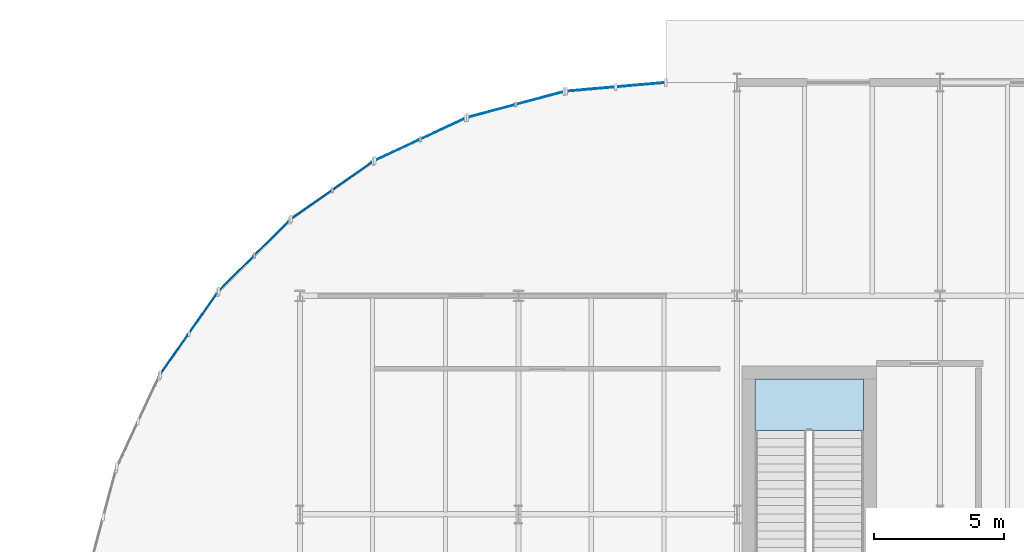
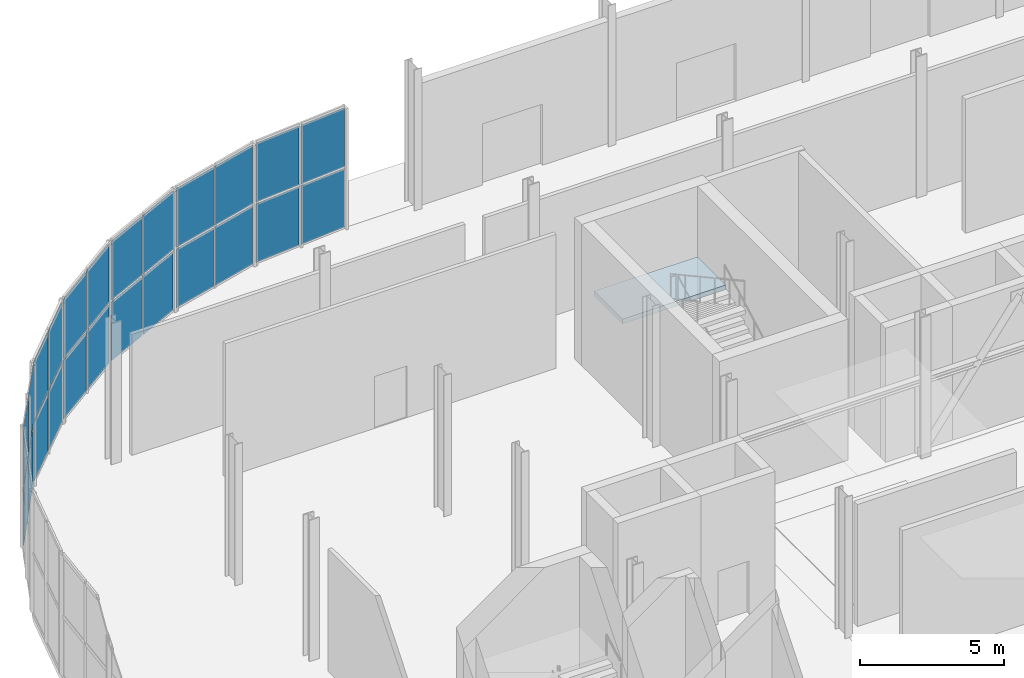
# One storey, part 49 of 84: 24 plates, 1 slab, 7 elements without a shape of their own.
"""IFC4 building model written with IfcOpenShell, lengths in metres."""

from ifc_helpers import new_model, si_unit, direction, frame, origin, origin_2d, place, context, subcontext, project, spatial, polyline, rectangle, outline, extrude, material, layer, layer_set, type_object, element, aggregate, save


model = new_model("IFC4")

# Units and contexts
model_context = context("Model", 3, precision=1e-05, world=origin(), true_north=direction((0.0, 1.0)))
body_context = subcontext(model_context, "Body", "Model", "MODEL_VIEW")
ifc_project = project(units=[si_unit("LENGTHUNIT", "METRE"), si_unit("AREAUNIT", "SQUARE_METRE"), si_unit("VOLUMEUNIT", "CUBIC_METRE"), si_unit("PLANEANGLEUNIT", "RADIAN"), si_unit("MASSUNIT", "GRAM", prefix="KILO")], contexts=[model_context])

# Site, building, storey
site_placement = place(None, origin())
site = spatial("IfcSite", under=ifc_project, at=site_placement, CompositionType="ELEMENT")
building_placement = place(site_placement, origin())
building = spatial("IfcBuilding", under=site, at=building_placement, Name="Sefraquen Railside Congress Hotel", CompositionType="ELEMENT")
storey_placement = place(building_placement, origin())
storey = spatial("IfcBuildingStorey", under=building, at=storey_placement, Name="L00", CompositionType="ELEMENT", Elevation=0.0)

# Curtain wall, plates
ifc_material_1 = material(Name="Thermally broken anodised aluminium and low-E double glazing", Category="aluminium")
ifc_layer_1 = layer(ifc_material_1, 0.199951171875)
ifc_layer_set_1 = layer_set([ifc_layer_1], Name="Thermally broken anodised aluminium and low-E double glazing")
curtain_wall_type_1 = type_object("IfcCurtainWallType", Name="TCW-UCW-28", PredefinedType="USERDEFINED", material=ifc_layer_set_1)
curtain_wall_1_placement = place(storey_placement, origin())
curtain_wall_1 = element("IfcCurtainWall", 1, at=curtain_wall_1_placement, inside=storey, type_object=curtain_wall_type_1, Name="Rotunda L00 curved curtain wall facet 1", ObjectType="UNITISED CURTAIN WALL", PredefinedType="USERDEFINED")
ifc_material_2 = material(Name="Solar-control low-E double glazing", Category="glass")
ifc_layer_2 = layer(ifc_material_2, 0.02392578125)
ifc_layer_set_2 = layer_set([ifc_layer_2], Name="Solar-control low-E double glazing")
plate_type_1 = type_object("IfcPlateType", Name="TP-CWP-01", PredefinedType="CURTAIN_PANEL", material=ifc_layer_set_2)
plate_1_placement = place(storey_placement, frame((21.50341796875, 117.912841796875, 0.0400390625), z_axis=(0.0, 0.0, 1.0), x_axis=(-0.996196219095, -0.087138355857, 0.0)))
plate_1 = element("IfcPlate", 2, at=plate_1_placement, type_object=plate_type_1, Name="CW-L00-ROT-01 panel 1.1", PredefinedType="CURTAIN_PANEL", context=body_context, shape_type="SweptSolid", body=[
    extrude(rectangle(XDim=1.8310546875, YDim=0.02392578125, at=origin_2d()), origin(), (0.0, 0.0, 1.0), 2.4951171875),
])
plate_2_placement = place(storey_placement, frame((19.589599609375, 117.745361328125, 0.0400390625), z_axis=(0.0, 0.0, 1.0), x_axis=(-0.996196219095, -0.087138355857, 0.0)))
plate_2 = element("IfcPlate", 3, at=plate_2_placement, type_object=plate_type_1, Name="CW-L00-ROT-01 panel 1.2", PredefinedType="CURTAIN_PANEL", context=body_context, shape_type="SweptSolid", body=[
    extrude(rectangle(XDim=1.8310546875, YDim=0.02392578125, at=origin_2d()), origin(), (0.0, 0.0, 1.0), 2.4951171875),
])

ifc_layer_3 = layer(ifc_material_1, 0.199951171875)
ifc_layer_set_3 = layer_set([ifc_layer_3], Name="Thermally broken anodised aluminium and low-E double glazing")
curtain_wall_type_2 = type_object("IfcCurtainWallType", Name="TCW-UCW-29", PredefinedType="USERDEFINED", material=ifc_layer_set_3)
curtain_wall_2_placement = place(storey_placement, origin())
curtain_wall_2 = element("IfcCurtainWall", 4, at=curtain_wall_2_placement, inside=storey, type_object=curtain_wall_type_2, Name="Rotunda L00 curved curtain wall facet 2", ObjectType="UNITISED CURTAIN WALL", PredefinedType="USERDEFINED")
plate_3_placement = place(storey_placement, frame((17.62646484375, 117.399169921875, 0.0400390625), z_axis=(0.0, 0.0, 1.0), x_axis=(-0.96593486019, -0.258785327773, 0.0)))
plate_3 = element("IfcPlate", 5, at=plate_3_placement, type_object=plate_type_1, Name="CW-L00-ROT-02 panel 1.1", PredefinedType="CURTAIN_PANEL", context=body_context, shape_type="SweptSolid", body=[
    extrude(rectangle(XDim=1.8310546875, YDim=0.02392578125, at=origin_2d()), origin(), (0.0, 0.0, 1.0), 2.4951171875),
])
plate_4_placement = place(storey_placement, frame((15.77099609375, 116.902099609375, 0.0400390625), z_axis=(0.0, 0.0, 1.0), x_axis=(-0.96593486019, -0.258785327773, 0.0)))
plate_4 = element("IfcPlate", 6, at=plate_4_placement, type_object=plate_type_1, Name="CW-L00-ROT-02 panel 1.2", PredefinedType="CURTAIN_PANEL", context=body_context, shape_type="SweptSolid", body=[
    extrude(rectangle(XDim=1.8310546875, YDim=0.02392578125, at=origin_2d()), origin(), (0.0, 0.0, 1.0), 2.4951171875),
])

ifc_layer_4 = layer(ifc_material_1, 0.199951171875)
ifc_layer_set_4 = layer_set([ifc_layer_4], Name="Thermally broken anodised aluminium and low-E double glazing")
curtain_wall_type_3 = type_object("IfcCurtainWallType", Name="TCW-UCW-30", PredefinedType="USERDEFINED", material=ifc_layer_set_4)
curtain_wall_3_placement = place(storey_placement, origin())
curtain_wall_3 = element("IfcCurtainWall", 7, at=curtain_wall_3_placement, inside=storey, type_object=curtain_wall_type_3, Name="Rotunda L00 curved curtain wall facet 3", ObjectType="UNITISED CURTAIN WALL", PredefinedType="USERDEFINED")
plate_5_placement = place(storey_placement, frame((13.897705078125, 116.22021484375, 0.0400390625), z_axis=(0.0, 0.0, 1.0), x_axis=(-0.906300410818, -0.422634079731, 0.0)))
plate_5 = element("IfcPlate", 8, at=plate_5_placement, type_object=plate_type_1, Name="CW-L00-ROT-03 panel 1.1", PredefinedType="CURTAIN_PANEL", context=body_context, shape_type="SweptSolid", body=[
    extrude(rectangle(XDim=1.830810546875, YDim=0.02392578125, at=origin_2d()), origin(), (0.0, 0.0, 1.0), 2.4951171875),
])
plate_6_placement = place(storey_placement, frame((12.15673828125, 115.408447265625, 0.0400390625), z_axis=(0.0, 0.0, 1.0), x_axis=(-0.906300410818, -0.422634079731, 0.0)))
plate_6 = element("IfcPlate", 9, at=plate_6_placement, type_object=plate_type_1, Name="CW-L00-ROT-03 panel 1.2", PredefinedType="CURTAIN_PANEL", context=body_context, shape_type="SweptSolid", body=[
    extrude(rectangle(XDim=1.830810546875, YDim=0.02392578125, at=origin_2d()), origin(), (0.0, 0.0, 1.0), 2.4951171875),
])

ifc_layer_5 = layer(ifc_material_1, 0.199951171875)
ifc_layer_set_5 = layer_set([ifc_layer_5], Name="Thermally broken anodised aluminium and low-E double glazing")
curtain_wall_type_4 = type_object("IfcCurtainWallType", Name="TCW-UCW-31", PredefinedType="USERDEFINED", material=ifc_layer_set_5)
curtain_wall_4_placement = place(storey_placement, origin())
curtain_wall_4 = element("IfcCurtainWall", 10, at=curtain_wall_4_placement, inside=storey, type_object=curtain_wall_type_4, Name="Rotunda L00 curved curtain wall facet 4", ObjectType="UNITISED CURTAIN WALL", PredefinedType="USERDEFINED")
plate_7_placement = place(storey_placement, frame((10.430419921875, 114.411865234375, 0.0400390625), z_axis=(0.0, 0.0, 1.0), x_axis=(-0.819132022195, -0.573605029802, 0.0)))
plate_7 = element("IfcPlate", 11, at=plate_7_placement, type_object=plate_type_1, Name="CW-L00-ROT-04 panel 1.1", PredefinedType="CURTAIN_PANEL", context=body_context, shape_type="SweptSolid", body=[
    extrude(rectangle(XDim=1.8310546875, YDim=0.02392578125, at=origin_2d()), origin(), (0.0, 0.0, 1.0), 2.4951171875),
])
plate_8_placement = place(storey_placement, frame((8.856689453125, 113.309814453125, 0.0400390625), z_axis=(0.0, 0.0, 1.0), x_axis=(-0.819132022195, -0.573605029802, 0.0)))
plate_8 = element("IfcPlate", 12, at=plate_8_placement, type_object=plate_type_1, Name="CW-L00-ROT-04 panel 1.2", PredefinedType="CURTAIN_PANEL", context=body_context, shape_type="SweptSolid", body=[
    extrude(rectangle(XDim=1.8310546875, YDim=0.02392578125, at=origin_2d()), origin(), (0.0, 0.0, 1.0), 2.4951171875),
])

ifc_layer_6 = layer(ifc_material_1, 0.199951171875)
ifc_layer_set_6 = layer_set([ifc_layer_6], Name="Thermally broken anodised aluminium and low-E double glazing")
curtain_wall_type_5 = type_object("IfcCurtainWallType", Name="TCW-UCW-32", PredefinedType="USERDEFINED", material=ifc_layer_set_6)
curtain_wall_5_placement = place(storey_placement, origin())
curtain_wall_5 = element("IfcCurtainWall", 13, at=curtain_wall_5_placement, inside=storey, type_object=curtain_wall_type_5, Name="Rotunda L00 curved curtain wall facet 5", ObjectType="UNITISED CURTAIN WALL", PredefinedType="USERDEFINED")
plate_9_placement = place(storey_placement, frame((7.329833984375, 112.028564453125, 0.0400390625), z_axis=(0.0, 0.0, 1.0), x_axis=(-0.707106781187, -0.707106781187, 0.0)))
plate_9 = element("IfcPlate", 14, at=plate_9_placement, type_object=plate_type_1, Name="CW-L00-ROT-05 panel 1.1", PredefinedType="CURTAIN_PANEL", context=body_context, shape_type="SweptSolid", body=[
    extrude(rectangle(XDim=1.8310546875, YDim=0.02392578125, at=origin_2d()), origin(), (0.0, 0.0, 1.0), 2.4951171875),
])
plate_10_placement = place(storey_placement, frame((5.971435546875, 110.670166015625, 0.0400390625), z_axis=(0.0, 0.0, 1.0), x_axis=(-0.707106781187, -0.707106781187, 0.0)))
plate_10 = element("IfcPlate", 15, at=plate_10_placement, type_object=plate_type_1, Name="CW-L00-ROT-05 panel 1.2", PredefinedType="CURTAIN_PANEL", context=body_context, shape_type="SweptSolid", body=[
    extrude(rectangle(XDim=1.8310546875, YDim=0.02392578125, at=origin_2d()), origin(), (0.0, 0.0, 1.0), 2.4951171875),
])

ifc_layer_7 = layer(ifc_material_1, 0.199951171875)
ifc_layer_set_7 = layer_set([ifc_layer_7], Name="Thermally broken anodised aluminium and low-E double glazing")
curtain_wall_type_6 = type_object("IfcCurtainWallType", Name="TCW-UCW-01", PredefinedType="USERDEFINED", material=ifc_layer_set_7)
curtain_wall_6_placement = place(storey_placement, origin())
curtain_wall_6 = element("IfcCurtainWall", 16, at=curtain_wall_6_placement, inside=storey, type_object=curtain_wall_type_6, Name="Rotunda L00 curved curtain wall facet 6", ObjectType="UNITISED CURTAIN WALL", PredefinedType="USERDEFINED")
plate_11_placement = place(storey_placement, frame((4.690185546875, 109.14306640625, 0.0400390625), z_axis=(0.0, 0.0, 1.0), x_axis=(-0.573605029802, -0.819132022195, 0.0)))
plate_11 = element("IfcPlate", 17, at=plate_11_placement, type_object=plate_type_1, Name="CW-L00-ROT-06 panel 1.1", PredefinedType="CURTAIN_PANEL", context=body_context, shape_type="SweptSolid", body=[
    extrude(rectangle(XDim=1.8310546875, YDim=0.02392578125, at=origin_2d()), origin(), (0.0, 0.0, 1.0), 2.4951171875),
])
plate_12_placement = place(storey_placement, frame((3.58837890625, 107.569580078125, 0.0400390625), z_axis=(0.0, 0.0, 1.0), x_axis=(-0.573605029802, -0.819132022195, 0.0)))
plate_12 = element("IfcPlate", 18, at=plate_12_placement, type_object=plate_type_1, Name="CW-L00-ROT-06 panel 1.2", PredefinedType="CURTAIN_PANEL", context=body_context, shape_type="SweptSolid", body=[
    extrude(rectangle(XDim=1.8310546875, YDim=0.02392578125, at=origin_2d()), origin(), (0.0, 0.0, 1.0), 2.4951171875),
])

# Plate
ifc_material_3 = material(Name="Triple acoustic solar-control glazing", Category="glass")
ifc_layer_8 = layer(ifc_material_3, 0.031982421875)
ifc_layer_set_8 = layer_set([ifc_layer_8], Name="Triple acoustic solar-control glazing")
plate_type_2 = type_object("IfcPlateType", Name="TP-CWP-02", PredefinedType="CURTAIN_PANEL", material=ifc_layer_set_8)
plate_13_placement = place(storey_placement, frame((21.50341796875, 117.912841796875, 2.614990234375), z_axis=(0.0, 0.0, 1.0), x_axis=(-0.996196219095, -0.087138355857, 0.0)))
plate_13 = element("IfcPlate", 19, at=plate_13_placement, type_object=plate_type_2, Name="CW-L00-ROT-01 panel 2.1", PredefinedType="CURTAIN_PANEL", context=body_context, shape_type="SweptSolid", body=[
    extrude(rectangle(XDim=1.8310546875, YDim=0.031982421875, at=origin_2d()), origin(), (0.0, 0.0, 1.0), 2.4951171875),
])

plate_14_placement = place(storey_placement, frame((19.589599609375, 117.745361328125, 2.614990234375), z_axis=(0.0, 0.0, 1.0), x_axis=(-0.996196219095, -0.087138355857, 0.0)))
plate_14 = element("IfcPlate", 20, at=plate_14_placement, type_object=plate_type_2, Name="CW-L00-ROT-01 panel 2.2", PredefinedType="CURTAIN_PANEL", context=body_context, shape_type="SweptSolid", body=[
    extrude(rectangle(XDim=1.8310546875, YDim=0.031982421875, at=origin_2d()), origin(), (0.0, 0.0, 1.0), 2.4951171875),
])

aggregate(curtain_wall_1, [plate_1, plate_2, plate_13, plate_14])

plate_15_placement = place(storey_placement, frame((17.62646484375, 117.399169921875, 2.614990234375), z_axis=(0.0, 0.0, 1.0), x_axis=(-0.96593486019, -0.258785327773, 0.0)))
plate_15 = element("IfcPlate", 21, at=plate_15_placement, type_object=plate_type_2, Name="CW-L00-ROT-02 panel 2.1", PredefinedType="CURTAIN_PANEL", context=body_context, shape_type="SweptSolid", body=[
    extrude(rectangle(XDim=1.8310546875, YDim=0.031982421875, at=origin_2d()), origin(), (0.0, 0.0, 1.0), 2.4951171875),
])

plate_16_placement = place(storey_placement, frame((15.77099609375, 116.902099609375, 2.614990234375), z_axis=(0.0, 0.0, 1.0), x_axis=(-0.96593486019, -0.258785327773, 0.0)))
plate_16 = element("IfcPlate", 22, at=plate_16_placement, type_object=plate_type_2, Name="CW-L00-ROT-02 panel 2.2", PredefinedType="CURTAIN_PANEL", context=body_context, shape_type="SweptSolid", body=[
    extrude(rectangle(XDim=1.8310546875, YDim=0.031982421875, at=origin_2d()), origin(), (0.0, 0.0, 1.0), 2.4951171875),
])

aggregate(curtain_wall_2, [plate_3, plate_4, plate_15, plate_16])

plate_17_placement = place(storey_placement, frame((13.897705078125, 116.22021484375, 2.614990234375), z_axis=(0.0, 0.0, 1.0), x_axis=(-0.906300410818, -0.422634079731, 0.0)))
plate_17 = element("IfcPlate", 23, at=plate_17_placement, type_object=plate_type_2, Name="CW-L00-ROT-03 panel 2.1", PredefinedType="CURTAIN_PANEL", context=body_context, shape_type="SweptSolid", body=[
    extrude(rectangle(XDim=1.830810546875, YDim=0.031982421875, at=origin_2d()), origin(), (0.0, 0.0, 1.0), 2.4951171875),
])

plate_18_placement = place(storey_placement, frame((12.15673828125, 115.408447265625, 2.614990234375), z_axis=(0.0, 0.0, 1.0), x_axis=(-0.906300410818, -0.422634079731, 0.0)))
plate_18 = element("IfcPlate", 24, at=plate_18_placement, type_object=plate_type_2, Name="CW-L00-ROT-03 panel 2.2", PredefinedType="CURTAIN_PANEL", context=body_context, shape_type="SweptSolid", body=[
    extrude(rectangle(XDim=1.830810546875, YDim=0.031982421875, at=origin_2d()), origin(), (0.0, 0.0, 1.0), 2.4951171875),
])

aggregate(curtain_wall_3, [plate_5, plate_6, plate_17, plate_18])

plate_19_placement = place(storey_placement, frame((10.430419921875, 114.411865234375, 2.614990234375), z_axis=(0.0, 0.0, 1.0), x_axis=(-0.819132022195, -0.573605029802, 0.0)))
plate_19 = element("IfcPlate", 25, at=plate_19_placement, type_object=plate_type_2, Name="CW-L00-ROT-04 panel 2.1", PredefinedType="CURTAIN_PANEL", context=body_context, shape_type="SweptSolid", body=[
    extrude(rectangle(XDim=1.8310546875, YDim=0.031982421875, at=origin_2d()), origin(), (0.0, 0.0, 1.0), 2.4951171875),
])

plate_20_placement = place(storey_placement, frame((8.856689453125, 113.309814453125, 2.614990234375), z_axis=(0.0, 0.0, 1.0), x_axis=(-0.819132022195, -0.573605029802, 0.0)))
plate_20 = element("IfcPlate", 26, at=plate_20_placement, type_object=plate_type_2, Name="CW-L00-ROT-04 panel 2.2", PredefinedType="CURTAIN_PANEL", context=body_context, shape_type="SweptSolid", body=[
    extrude(rectangle(XDim=1.8310546875, YDim=0.031982421875, at=origin_2d()), origin(), (0.0, 0.0, 1.0), 2.4951171875),
])

aggregate(curtain_wall_4, [plate_7, plate_8, plate_19, plate_20])

plate_21_placement = place(storey_placement, frame((7.329833984375, 112.028564453125, 2.614990234375), z_axis=(0.0, 0.0, 1.0), x_axis=(-0.707106781187, -0.707106781187, 0.0)))
plate_21 = element("IfcPlate", 27, at=plate_21_placement, type_object=plate_type_2, Name="CW-L00-ROT-05 panel 2.1", PredefinedType="CURTAIN_PANEL", context=body_context, shape_type="SweptSolid", body=[
    extrude(rectangle(XDim=1.8310546875, YDim=0.031982421875, at=origin_2d()), origin(), (0.0, 0.0, 1.0), 2.4951171875),
])

plate_22_placement = place(storey_placement, frame((5.971435546875, 110.670166015625, 2.614990234375), z_axis=(0.0, 0.0, 1.0), x_axis=(-0.707106781187, -0.707106781187, 0.0)))
plate_22 = element("IfcPlate", 28, at=plate_22_placement, type_object=plate_type_2, Name="CW-L00-ROT-05 panel 2.2", PredefinedType="CURTAIN_PANEL", context=body_context, shape_type="SweptSolid", body=[
    extrude(rectangle(XDim=1.8310546875, YDim=0.031982421875, at=origin_2d()), origin(), (0.0, 0.0, 1.0), 2.4951171875),
])

aggregate(curtain_wall_5, [plate_9, plate_10, plate_21, plate_22])

plate_23_placement = place(storey_placement, frame((4.690185546875, 109.14306640625, 2.614990234375), z_axis=(0.0, 0.0, 1.0), x_axis=(-0.573605029802, -0.819132022195, 0.0)))
plate_23 = element("IfcPlate", 29, at=plate_23_placement, type_object=plate_type_2, Name="CW-L00-ROT-06 panel 2.1", PredefinedType="CURTAIN_PANEL", context=body_context, shape_type="SweptSolid", body=[
    extrude(rectangle(XDim=1.8310546875, YDim=0.031982421875, at=origin_2d()), origin(), (0.0, 0.0, 1.0), 2.4951171875),
])

plate_24_placement = place(storey_placement, frame((3.58837890625, 107.569580078125, 2.614990234375), z_axis=(0.0, 0.0, 1.0), x_axis=(-0.573605029802, -0.819132022195, 0.0)))
plate_24 = element("IfcPlate", 30, at=plate_24_placement, type_object=plate_type_2, Name="CW-L00-ROT-06 panel 2.2", PredefinedType="CURTAIN_PANEL", context=body_context, shape_type="SweptSolid", body=[
    extrude(rectangle(XDim=1.8310546875, YDim=0.031982421875, at=origin_2d()), origin(), (0.0, 0.0, 1.0), 2.4951171875),
])

aggregate(curtain_wall_6, [plate_11, plate_12, plate_23, plate_24])

# Stair, slab
ifc_material_4 = material(Name="Concrete C40/50", Category="concrete")
stair_type = type_object("IfcStairType", Name="TST-DOG-198-420", PredefinedType="HALF_TURN_STAIR", material=ifc_material_4)
stair_placement = place(storey_placement, origin())
stair = element("IfcStair", 31, at=stair_placement, inside=storey, type_object=stair_type, Name="L00 Pressurized escape stair ST-H02", PredefinedType="HALF_TURN_STAIR")
ifc_layer_9 = layer(ifc_material_4, 0.199951171875)
ifc_layer_set_9 = layer_set([ifc_layer_9], Name="Concrete C40/50")
slab_type = type_object("IfcSlabType", Name="TS-LD-200", PredefinedType="LANDING", material=ifc_layer_set_9)
slab_placement = place(storey_placement, frame((0.0, 0.0, 2.800048828125)))
slab = element("IfcSlab", 32, at=slab_placement, type_object=slab_type, Name="ST-H02 landing 1", PredefinedType="LANDING", context=body_context, shape_type="SweptSolid", body=[
    extrude(outline(polyline([(30.06005859375, 104.632080078125), (30.06005859375, 106.612060546875), (25.89990234375, 106.612060546875), (25.89990234375, 104.632080078125), (30.06005859375, 104.632080078125)])), origin(), (0.0, 0.0, 1.0), 0.199951171875),
])
aggregate(stair, [slab])

save(model, "model.ifc")
